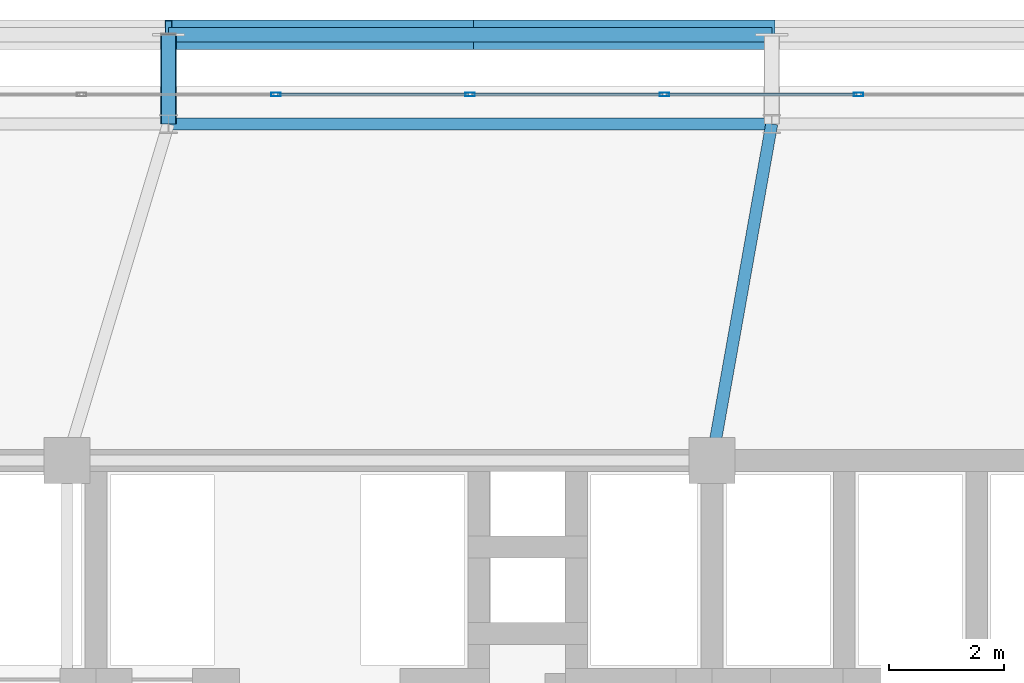
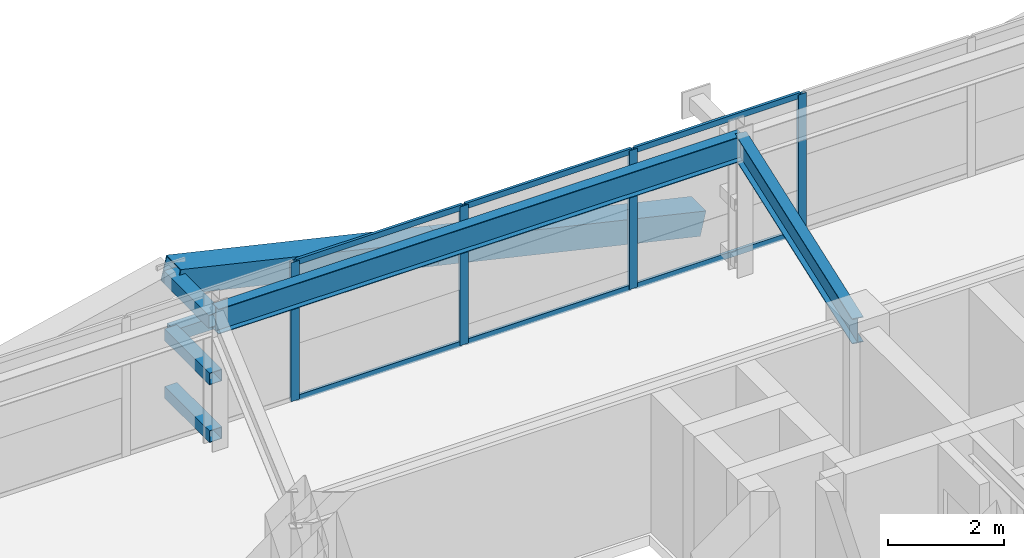
# One storey, part 37 of 59: 16 members, 2 beams, 1 element without a shape of its own.
"""IFC4 building model written with IfcOpenShell, lengths in metres."""

from ifc_helpers import new_model, si_unit, direction, frame, origin, origin_2d, place, context, subcontext, project, spatial, hollow_rectangle, i_section, extrude, source, transform, mapped, material, layer, layer_set, material_profile, profile_set, type_object, element, aggregate, save


model = new_model("IFC4")

# Units and contexts
model_context = context("Model", 3, precision=1e-05, world=origin(), true_north=direction((0.0, 1.0)))
body_context = subcontext(model_context, "Body", "Model", "MODEL_VIEW")
ifc_project = project(units=[si_unit("LENGTHUNIT", "METRE"), si_unit("AREAUNIT", "SQUARE_METRE"), si_unit("VOLUMEUNIT", "CUBIC_METRE"), si_unit("PLANEANGLEUNIT", "RADIAN"), si_unit("MASSUNIT", "GRAM", prefix="KILO")], contexts=[model_context])

# Site, building, storey
site_placement = place(None, origin())
site = spatial("IfcSite", under=ifc_project, at=site_placement, CompositionType="ELEMENT")
building_placement = place(site_placement, origin())
building = spatial("IfcBuilding", under=site, at=building_placement, Name="Taldren Reach Tower", CompositionType="ELEMENT")
storey_placement = place(building_placement, frame((0.0, 0.0, 26.25)))
storey = spatial("IfcBuildingStorey", under=building, at=storey_placement, Name="L07", CompositionType="ELEMENT", Elevation=26.25)

# Beams
ifc_material_1 = material(Name="Steel Gr 350 (350PLUS)", Category="steel")
ifc_material_profile_1 = material_profile(ifc_material_1, i_section(OverallWidth=0.208984375, OverallDepth=0.528076171875, WebThickness=0.009521484375, FlangeThickness=0.01318359375, at=origin_2d()), Name="530UB82.0")
ifc_profile_set_1 = profile_set([ifc_material_profile_1], Name="Steel Gr 350 (350PLUS)")
beam_type_1 = type_object("IfcBeamType", Name="SP-UB530B", PredefinedType="SPANDREL", material=ifc_profile_set_1)
shared_shape_1 = source(origin(), body_context, "Body", "SweptSolid", [
    extrude(i_section(OverallWidth=0.208984375, OverallDepth=0.528076171875, WebThickness=0.009521484375, FlangeThickness=0.01318359375, at=origin_2d()), origin(), (0.0, 0.0, 1.0), 10.47998046875),
])
beam_1_placement = place(storey_placement, frame((40.239990234375, 37.85009765625, 2.666015625), z_axis=(-1.0, 0.0, 0.0), x_axis=(0.0, -1.0, 0.0)))
element("IfcBeam", 1, at=beam_1_placement, inside=storey, type_object=beam_type_1, Name="Perimeter spandrel B1 N4-N3 L07", PredefinedType="SPANDREL", context=body_context, shape_type="MappedRepresentation", body=[
    mapped(shared_shape_1, transform((0.0, 0.0, 0.0), scale=1.0)),
])
ifc_material_profile_2 = material_profile(ifc_material_1, i_section(OverallWidth=0.208984375, OverallDepth=0.532958984375, WebThickness=0.01025390625, FlangeThickness=0.015625, at=origin_2d()), Name="530UB92.4")
ifc_profile_set_2 = profile_set([ifc_material_profile_2], Name="Steel Gr 350 (350PLUS)")
beam_type_2 = type_object("IfcBeamType", Name="BM-UB530A", PredefinedType="BEAM", material=ifc_profile_set_2)
shared_shape_2 = source(origin(), body_context, "Body", "SweptSolid", [
    extrude(i_section(OverallWidth=0.208984375, OverallDepth=0.532958984375, WebThickness=0.01025390625, FlangeThickness=0.015625, at=origin_2d()), origin(), (0.0, 0.0, 1.0), 5.94189453125),
])
beam_2_placement = place(storey_placement, frame((39.199951171875, 32.0, 2.66357421875), z_axis=(0.17503687513, 0.984561878373, 0.0), x_axis=(-0.984561878373, 0.17503687513, 0.0)))
element("IfcBeam", 2, at=beam_2_placement, inside=storey, type_object=beam_type_2, Name="Primary floor girder B1-N4 L07", PredefinedType="BEAM", context=body_context, shape_type="MappedRepresentation", body=[
    mapped(shared_shape_2, transform((0.0, 0.0, 0.0), scale=1.0)),
])

# Members
ifc_material_2 = material(Name="Steel Gr 450 (C450L0)", Category="steel")
ifc_material_profile_3 = material_profile(ifc_material_2, hollow_rectangle(XDim=0.27490234375, YDim=0.27490234375, WallThickness=0.00927734375, at=origin_2d()), Name="275x275x9.3SHS")
ifc_profile_set_3 = profile_set([ifc_material_profile_3], Name="Steel Gr 450 (C450L0)")
member_type_1 = type_object("IfcMemberType", Name="MB-TIE273", PredefinedType="STRUT", material=ifc_profile_set_3)
shared_shape_3 = source(origin(), body_context, "Body", "SweptSolid", [
    extrude(hollow_rectangle(XDim=0.27490234375, YDim=0.27490234375, WallThickness=0.00927734375, at=origin_2d()), origin(), (0.0, 0.0, 1.0), 1.5498046875),
])
member_1_placement = place(storey_placement, frame((29.760009765625, 37.85009765625, 2.64990234375), z_axis=(0.0, 1.0, 0.0), x_axis=(-1.0, 0.0, 0.0)))
element("IfcMember", 3, at=member_1_placement, inside=storey, type_object=member_type_1, Name="Exoskeleton diaphragm tie strut B1-N3 L07", PredefinedType="STRUT", context=body_context, shape_type="MappedRepresentation", body=[
    mapped(shared_shape_3, transform((0.0, 0.0, 0.0), scale=1.0)),
])
ifc_material_profile_4 = material_profile(ifc_material_2, hollow_rectangle(XDim=0.510009765625, YDim=0.510009765625, WallThickness=0.02001953125, at=origin_2d()), Name="510x510x20.0SHS")
ifc_profile_set_4 = profile_set([ifc_material_profile_4], Name="Steel Gr 450 (C450L0)")
member_type_2 = type_object("IfcMemberType", Name="MB-EXO508", PredefinedType="BRACE", material=ifc_profile_set_4)
shared_shape_4 = source(origin(), body_context, "Body", "SweptSolid", [
    extrude(hollow_rectangle(XDim=0.510009765625, YDim=0.510009765625, WallThickness=0.02001953125, at=origin_2d()), origin(), (0.0, 0.0, 1.0), 5.37890625),
])
for number, where, z_axis, x_axis, name in (
    (4, (40.239990234375, 39.39990234375, 0.219970703125), (-0.97415197996, 0.0, 0.225893603143), (0.0, -1.0, 0.0), "Exoskeleton Diagrid Brace B1-N3 L07"),
    (5, (35.0, 39.39990234375, 1.43505859375), (-0.974161966843, 0.0, 0.225850531007), (0.0, -1.0, 0.0), "Exoskeleton Diagrid Brace B1-N3 L07"),
):
    element("IfcMember", number, at=place(storey_placement, frame(where, z_axis=z_axis, x_axis=x_axis)), inside=storey, type_object=member_type_2, Name=name, PredefinedType="BRACE", context=body_context, shape_type="MappedRepresentation", body=[
        mapped(shared_shape_4, transform((0.0, 0.0, 0.0), scale=1.0)),
    ])
ifc_material_3 = material(Name="Steel Gr 350 (C350L0)", Category="steel")
ifc_material_profile_5 = material_profile(ifc_material_3, hollow_rectangle(XDim=0.25, YDim=0.25, WallThickness=0.010009765625, at=origin_2d()), Name="250x250x10.0SHS")
ifc_profile_set_5 = profile_set([ifc_material_profile_5], Name="Steel Gr 350 (C350L0)")
member_type_3 = type_object("IfcMemberType", Name="MB-POST250", PredefinedType="POST", material=ifc_profile_set_5)
shared_shape_5 = source(origin(), body_context, "Body", "SweptSolid", [
    extrude(hollow_rectangle(XDim=0.25, YDim=0.25, WallThickness=0.010009765625, at=origin_2d()), origin(), (0.0, 0.0, 1.0), 10.47998046875),
])
member_2_placement = place(storey_placement, frame((29.760009765625, 39.39990234375, 1.43505859375), z_axis=(1.0, 0.0, 0.0), x_axis=(0.0, 1.0, 0.0)))
element("IfcMember", 6, at=member_2_placement, inside=storey, type_object=member_type_3, Name="Exoskeleton mid-height ring chord B1-N3 L07", PredefinedType="POST", context=body_context, shape_type="MappedRepresentation", body=[
    mapped(shared_shape_5, transform((0.0, 0.0, 0.0), scale=1.0)),
])
shared_shape_6 = source(origin(), body_context, "Body", "SweptSolid", [
    extrude(hollow_rectangle(XDim=0.25, YDim=0.25, WallThickness=0.010009765625, at=origin_2d()), origin(), (0.0, 0.0, 1.0), 1.5498046875),
])
for number, where, z_axis, x_axis, name in (
    (7, (29.760009765625, 37.85009765625, 0.219970703125), (0.0, 1.0, 0.0), (-1.0, 0.0, 0.0), "Exoskeleton base diaphragm tie strut B1-N3 L07"),
    (8, (29.760009765625, 37.85009765625, 1.43505859375), (0.0, 1.0, 0.0), (-1.0, 0.0, 0.0), "Exoskeleton mid-tier diaphragm tie B1-N3 L07"),
):
    element("IfcMember", number, at=place(storey_placement, frame(where, z_axis=z_axis, x_axis=x_axis)), inside=storey, type_object=member_type_3, Name=name, PredefinedType="POST", context=body_context, shape_type="MappedRepresentation", body=[
        mapped(shared_shape_6, transform((0.0, 0.0, 0.0), scale=1.0)),
    ])

# Curtain wall, members
ifc_material_4 = material(Name="Aluminium and Low-E Glass Unitised System", Category="aluminium")
ifc_layer = layer(ifc_material_4, 0.159912109375)
ifc_layer_set = layer_set([ifc_layer], Name="Aluminium and Low-E Glass Unitised System")
curtain_wall_type = type_object("IfcCurtainWallType", Name="CW-SYS-2", PredefinedType="NOTDEFINED", material=ifc_layer_set)
curtain_wall_placement = place(storey_placement, origin())
curtain_wall = element("IfcCurtainWall", 9, at=curtain_wall_placement, inside=storey, type_object=curtain_wall_type, Name="Unitised curtain wall CW-L07-N", PredefinedType="NOTDEFINED")
ifc_material_5 = material(Name="Anodised Aluminium 6063-T6", Category="aluminium")
ifc_material_profile_6 = material_profile(ifc_material_5, hollow_rectangle(XDim=0.06494140625, YDim=0.1650390625, WallThickness=0.00390625, at=origin_2d()), Name="ALU-165x65x4RHS")
ifc_profile_set_6 = profile_set([ifc_material_profile_6], Name="Anodised Aluminium 6063-T6")
member_type_4 = type_object("IfcMemberType", Name="CW-MUL-165", PredefinedType="MULLION", material=ifc_profile_set_6)
shared_shape_7 = source(origin(), body_context, "Body", "SweptSolid", [
    extrude(hollow_rectangle(XDim=0.06494140625, YDim=0.1650390625, WallThickness=0.00390625, at=origin_2d()), origin(), (0.0, 0.0, 1.0), 2.929931640625),
])
member_3_placement = place(storey_placement, frame((41.75, 38.360107421875, 0.0), z_axis=(0.0, 0.0, 1.0), x_axis=(0.0, -1.0, 0.0)))
member_3 = element("IfcMember", 10, at=member_3_placement, type_object=member_type_4, Name="CW-2 mullion 7", PredefinedType="MULLION", context=body_context, shape_type="MappedRepresentation", body=[
    mapped(shared_shape_7, transform((0.0, 0.0, 0.0), scale=1.0)),
])
member_4_placement = place(storey_placement, frame((38.375, 38.360107421875, 0.0), z_axis=(0.0, 0.0, 1.0), x_axis=(0.0, -1.0, 0.0)))
member_4 = element("IfcMember", 11, at=member_4_placement, type_object=member_type_4, Name="CW-2 mullion 8", PredefinedType="MULLION", context=body_context, shape_type="MappedRepresentation", body=[
    mapped(shared_shape_7, transform((0.0, 0.0, 0.0), scale=1.0)),
])
member_5_placement = place(storey_placement, frame((35.0, 38.360107421875, 0.0), z_axis=(0.0, 0.0, 1.0), x_axis=(0.0, -1.0, 0.0)))
member_5 = element("IfcMember", 12, at=member_5_placement, type_object=member_type_4, Name="CW-2 mullion 9", PredefinedType="MULLION", context=body_context, shape_type="MappedRepresentation", body=[
    mapped(shared_shape_7, transform((0.0, 0.0, 0.0), scale=1.0)),
])
member_6_placement = place(storey_placement, frame((31.625, 38.360107421875, 0.0), z_axis=(0.0, 0.0, 1.0), x_axis=(0.0, -1.0, 0.0)))
member_6 = element("IfcMember", 13, at=member_6_placement, type_object=member_type_4, Name="CW-2 mullion 10", PredefinedType="MULLION", context=body_context, shape_type="MappedRepresentation", body=[
    mapped(shared_shape_7, transform((0.0, 0.0, 0.0), scale=1.0)),
])
ifc_material_profile_7 = material_profile(ifc_material_5, hollow_rectangle(XDim=0.054931640625, YDim=0.1201171875, WallThickness=0.0029296875, at=origin_2d()), Name="ALU-120x55x3RHS")
ifc_profile_set_7 = profile_set([ifc_material_profile_7], Name="Anodised Aluminium 6063-T6")
member_type_5 = type_object("IfcMemberType", Name="CW-TRN-135", PredefinedType="USERDEFINED", material=ifc_profile_set_7)
shared_shape_8 = source(origin(), body_context, "Body", "SweptSolid", [
    extrude(hollow_rectangle(XDim=0.054931640625, YDim=0.1201171875, WallThickness=0.0029296875, at=origin_2d()), origin(), (0.0, 0.0, 1.0), 3.31005859375),
])
member_7_placement = place(storey_placement, frame((41.717529296875, 38.360107421875, 0.027587890625), z_axis=(-1.0, 0.0, 0.0), x_axis=(0.0, -1.0, 0.0)))
member_7 = element("IfcMember", 14, at=member_7_placement, type_object=member_type_5, Name="CW-2 transom 7.1", ObjectType="TRANSOM", PredefinedType="USERDEFINED", context=body_context, shape_type="MappedRepresentation", body=[
    mapped(shared_shape_8, transform((0.0, 0.0, 0.0), scale=1.0)),
])
member_8_placement = place(storey_placement, frame((41.717529296875, 38.360107421875, 2.902587890625), z_axis=(-1.0, 0.0, 0.0), x_axis=(0.0, -1.0, 0.0)))
member_8 = element("IfcMember", 15, at=member_8_placement, type_object=member_type_5, Name="CW-2 transom 7.2", ObjectType="TRANSOM", PredefinedType="USERDEFINED", context=body_context, shape_type="MappedRepresentation", body=[
    mapped(shared_shape_8, transform((0.0, 0.0, 0.0), scale=1.0)),
])
member_9_placement = place(storey_placement, frame((38.342529296875, 38.360107421875, 0.027587890625), z_axis=(-1.0, 0.0, 0.0), x_axis=(0.0, -1.0, 0.0)))
member_9 = element("IfcMember", 16, at=member_9_placement, type_object=member_type_5, Name="CW-2 transom 8.1", ObjectType="TRANSOM", PredefinedType="USERDEFINED", context=body_context, shape_type="MappedRepresentation", body=[
    mapped(shared_shape_8, transform((0.0, 0.0, 0.0), scale=1.0)),
])
member_10_placement = place(storey_placement, frame((38.342529296875, 38.360107421875, 2.902587890625), z_axis=(-1.0, 0.0, 0.0), x_axis=(0.0, -1.0, 0.0)))
member_10 = element("IfcMember", 17, at=member_10_placement, type_object=member_type_5, Name="CW-2 transom 8.2", ObjectType="TRANSOM", PredefinedType="USERDEFINED", context=body_context, shape_type="MappedRepresentation", body=[
    mapped(shared_shape_8, transform((0.0, 0.0, 0.0), scale=1.0)),
])
member_11_placement = place(storey_placement, frame((34.967529296875, 38.360107421875, 0.027587890625), z_axis=(-1.0, 0.0, 0.0), x_axis=(0.0, -1.0, 0.0)))
member_11 = element("IfcMember", 18, at=member_11_placement, type_object=member_type_5, Name="CW-2 transom 9.1", ObjectType="TRANSOM", PredefinedType="USERDEFINED", context=body_context, shape_type="MappedRepresentation", body=[
    mapped(shared_shape_8, transform((0.0, 0.0, 0.0), scale=1.0)),
])
member_12_placement = place(storey_placement, frame((34.967529296875, 38.360107421875, 2.902587890625), z_axis=(-1.0, 0.0, 0.0), x_axis=(0.0, -1.0, 0.0)))
member_12 = element("IfcMember", 19, at=member_12_placement, type_object=member_type_5, Name="CW-2 transom 9.2", ObjectType="TRANSOM", PredefinedType="USERDEFINED", context=body_context, shape_type="MappedRepresentation", body=[
    mapped(shared_shape_8, transform((0.0, 0.0, 0.0), scale=1.0)),
])
aggregate(curtain_wall, [member_3, member_4, member_5, member_6, member_7, member_8, member_9, member_10, member_11, member_12])

save(model, "model.ifc")
